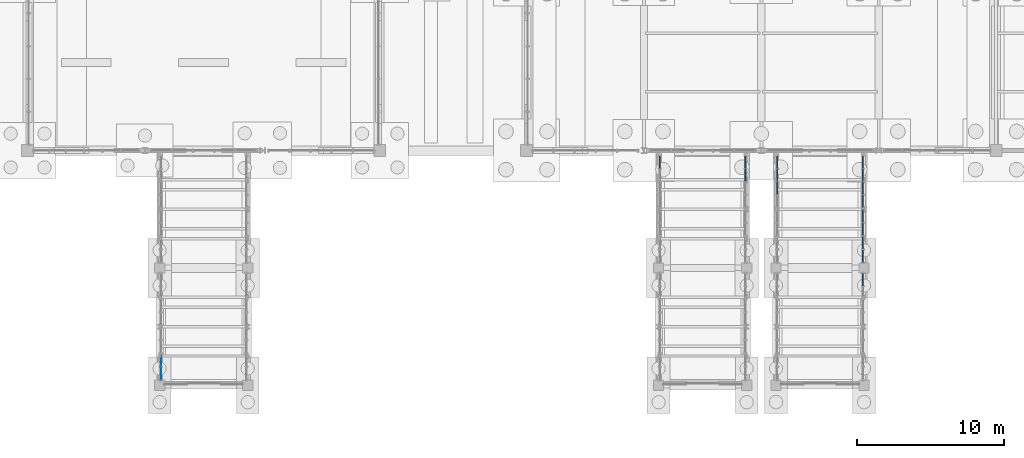
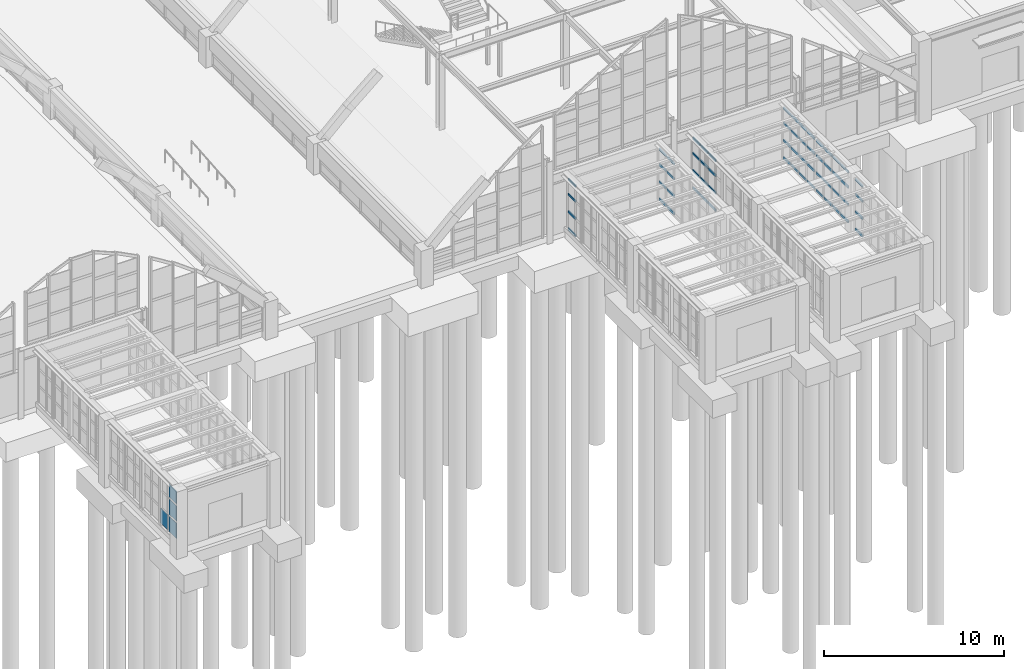
# One storey, part 76 of 129: 60 members, 4 plates, 7 elements without a shape of their own.
"""IFC4 building model written with IfcOpenShell, lengths in metres."""

from ifc_helpers import new_model, si_unit, direction, frame, origin, origin_2d, place, context, subcontext, project, spatial, rectangle, extrude, material, layer, layer_set, material_profile, profile_set, type_object, element, aggregate, save


model = new_model("IFC4")

# Units and contexts
model_context = context("Model", 3, precision=1e-05, world=origin(), true_north=direction((0.0, 1.0)))
body_context = subcontext(model_context, "Body", "Model", "MODEL_VIEW")
ifc_project = project(units=[si_unit("LENGTHUNIT", "METRE"), si_unit("AREAUNIT", "SQUARE_METRE"), si_unit("VOLUMEUNIT", "CUBIC_METRE"), si_unit("PLANEANGLEUNIT", "RADIAN"), si_unit("MASSUNIT", "GRAM", prefix="KILO")], contexts=[model_context])

# Site, building, storey
site_placement = place(None, origin())
site = spatial("IfcSite", under=ifc_project, at=site_placement, CompositionType="ELEMENT")
building_placement = place(site_placement, origin())
building = spatial("IfcBuilding", under=site, at=building_placement, Name="Sitalva Quay Ferry Terminal", CompositionType="ELEMENT")
storey_placement = place(building_placement, origin())
storey = spatial("IfcBuildingStorey", under=building, at=storey_placement, Name="L01", CompositionType="ELEMENT", Elevation=0.0)

# Curtain wall, members
ifc_material_1 = material(Name="Anodised Aluminium & Low-E Glazing", Category="aluminium")
ifc_layer_1 = layer(ifc_material_1, 0.159912109375)
ifc_layer_set_1 = layer_set([ifc_layer_1], Name="Anodised Aluminium & Low-E Glazing")
curtain_wall_type = type_object("IfcCurtainWallType", Name="CW_Bridge_Glazed", PredefinedType="USERDEFINED", material=ifc_layer_set_1)
curtain_wall_1_placement = place(storey_placement, origin())
curtain_wall_1 = element("IfcCurtainWall", 1, at=curtain_wall_1_placement, inside=storey, type_object=curtain_wall_type, Name="Boarding bridge BB2 W4 side glazing (CW-L01-044)", ObjectType="CURTAIN_WALL", PredefinedType="USERDEFINED")
ifc_material_2 = material(Name="Anodised Aluminium 6063-T6", Category="aluminium")
ifc_material_profile = material_profile(ifc_material_2, rectangle(XDim=0.074951171875, YDim=0.14990234375, at=origin_2d()), Name="ALU75x150")
ifc_profile_set = profile_set([ifc_material_profile], Name="Anodised Aluminium 6063-T6")
member_type = type_object("IfcMemberType", Name="Transom_Alu_75x140", PredefinedType="MULLION", material=ifc_profile_set)
member_1_placement = place(storey_placement, frame((51.080078125, 4.802490234375, 0.324951171875), z_axis=(0.0, 1.0, 0.0), x_axis=(-1.0, 0.0, 0.0)))
member_1 = element("IfcMember", 2, at=member_1_placement, type_object=member_type, Name="CW-L01-044-T3-0", ObjectType="TRANSOM", PredefinedType="USERDEFINED", context=body_context, shape_type="SweptSolid", body=[
    extrude(rectangle(XDim=0.074951171875, YDim=0.14990234375, at=origin_2d()), origin(), (0.0, 0.0, 1.0), 0.8076171875),
])
member_2_placement = place(storey_placement, frame((51.080078125, 4.802490234375, 1.501708984375), z_axis=(0.0, 1.0, 0.0), x_axis=(-1.0, 0.0, 0.0)))
member_2 = element("IfcMember", 3, at=member_2_placement, type_object=member_type, Name="CW-L01-044-T3-1", ObjectType="TRANSOM", PredefinedType="USERDEFINED", context=body_context, shape_type="SweptSolid", body=[
    extrude(rectangle(XDim=0.074951171875, YDim=0.14990234375, at=origin_2d()), origin(), (0.0, 0.0, 1.0), 0.8076171875),
])
member_3_placement = place(storey_placement, frame((51.080078125, 4.802490234375, 2.67822265625), z_axis=(0.0, 1.0, 0.0), x_axis=(-1.0, 0.0, 0.0)))
member_3 = element("IfcMember", 4, at=member_3_placement, type_object=member_type, Name="CW-L01-044-T3-2", ObjectType="TRANSOM", PredefinedType="USERDEFINED", context=body_context, shape_type="SweptSolid", body=[
    extrude(rectangle(XDim=0.074951171875, YDim=0.14990234375, at=origin_2d()), origin(), (0.0, 0.0, 1.0), 0.8076171875),
])
member_4_placement = place(storey_placement, frame((51.080078125, 4.802490234375, 3.705078125), z_axis=(0.0, 1.0, 0.0), x_axis=(-1.0, 0.0, 0.0)))
member_4 = element("IfcMember", 5, at=member_4_placement, type_object=member_type, Name="CW-L01-044-T3-3", ObjectType="TRANSOM", PredefinedType="USERDEFINED", context=body_context, shape_type="SweptSolid", body=[
    extrude(rectangle(XDim=0.074951171875, YDim=0.14990234375, at=origin_2d()), origin(), (0.0, 0.0, 1.0), 0.8076171875),
])
aggregate(curtain_wall_1, [member_1, member_2, member_3, member_4])

curtain_wall_2_placement = place(storey_placement, origin())
curtain_wall_2 = element("IfcCurtainWall", 6, at=curtain_wall_2_placement, inside=storey, type_object=curtain_wall_type, Name="Boarding bridge BB2 E4 side glazing (CW-L01-048)", ObjectType="CURTAIN_WALL", PredefinedType="USERDEFINED")
member_5_placement = place(storey_placement, frame((56.919921875, 3.9150390625, 0.324951171875), z_axis=(0.0, 1.0, 0.0), x_axis=(-1.0, 0.0, 0.0)))
member_5 = element("IfcMember", 7, at=member_5_placement, type_object=member_type, Name="CW-L01-048-T2-0", ObjectType="TRANSOM", PredefinedType="USERDEFINED", context=body_context, shape_type="SweptSolid", body=[
    extrude(rectangle(XDim=0.074951171875, YDim=0.14990234375, at=origin_2d()), origin(), (0.0, 0.0, 1.0), 0.807373046875),
])
member_6_placement = place(storey_placement, frame((56.919921875, 3.9150390625, 1.501708984375), z_axis=(0.0, 1.0, 0.0), x_axis=(-1.0, 0.0, 0.0)))
member_6 = element("IfcMember", 8, at=member_6_placement, type_object=member_type, Name="CW-L01-048-T2-1", ObjectType="TRANSOM", PredefinedType="USERDEFINED", context=body_context, shape_type="SweptSolid", body=[
    extrude(rectangle(XDim=0.074951171875, YDim=0.14990234375, at=origin_2d()), origin(), (0.0, 0.0, 1.0), 0.807373046875),
])
member_7_placement = place(storey_placement, frame((56.919921875, 3.9150390625, 2.67822265625), z_axis=(0.0, 1.0, 0.0), x_axis=(-1.0, 0.0, 0.0)))
member_7 = element("IfcMember", 9, at=member_7_placement, type_object=member_type, Name="CW-L01-048-T2-2", ObjectType="TRANSOM", PredefinedType="USERDEFINED", context=body_context, shape_type="SweptSolid", body=[
    extrude(rectangle(XDim=0.074951171875, YDim=0.14990234375, at=origin_2d()), origin(), (0.0, 0.0, 1.0), 0.807373046875),
])
member_8_placement = place(storey_placement, frame((56.919921875, 3.9150390625, 3.705078125), z_axis=(0.0, 1.0, 0.0), x_axis=(-1.0, 0.0, 0.0)))
member_8 = element("IfcMember", 10, at=member_8_placement, type_object=member_type, Name="CW-L01-048-T2-3", ObjectType="TRANSOM", PredefinedType="USERDEFINED", context=body_context, shape_type="SweptSolid", body=[
    extrude(rectangle(XDim=0.074951171875, YDim=0.14990234375, at=origin_2d()), origin(), (0.0, 0.0, 1.0), 0.807373046875),
])
member_9_placement = place(storey_placement, frame((56.919921875, 4.802490234375, 0.324951171875), z_axis=(0.0, 1.0, 0.0), x_axis=(-1.0, 0.0, 0.0)))
member_9 = element("IfcMember", 11, at=member_9_placement, type_object=member_type, Name="CW-L01-048-T3-0", ObjectType="TRANSOM", PredefinedType="USERDEFINED", context=body_context, shape_type="SweptSolid", body=[
    extrude(rectangle(XDim=0.074951171875, YDim=0.14990234375, at=origin_2d()), origin(), (0.0, 0.0, 1.0), 0.8076171875),
])
member_10_placement = place(storey_placement, frame((56.919921875, 4.802490234375, 1.501708984375), z_axis=(0.0, 1.0, 0.0), x_axis=(-1.0, 0.0, 0.0)))
member_10 = element("IfcMember", 12, at=member_10_placement, type_object=member_type, Name="CW-L01-048-T3-1", ObjectType="TRANSOM", PredefinedType="USERDEFINED", context=body_context, shape_type="SweptSolid", body=[
    extrude(rectangle(XDim=0.074951171875, YDim=0.14990234375, at=origin_2d()), origin(), (0.0, 0.0, 1.0), 0.8076171875),
])
member_11_placement = place(storey_placement, frame((56.919921875, 4.802490234375, 2.67822265625), z_axis=(0.0, 1.0, 0.0), x_axis=(-1.0, 0.0, 0.0)))
member_11 = element("IfcMember", 13, at=member_11_placement, type_object=member_type, Name="CW-L01-048-T3-2", ObjectType="TRANSOM", PredefinedType="USERDEFINED", context=body_context, shape_type="SweptSolid", body=[
    extrude(rectangle(XDim=0.074951171875, YDim=0.14990234375, at=origin_2d()), origin(), (0.0, 0.0, 1.0), 0.8076171875),
])
member_12_placement = place(storey_placement, frame((56.919921875, 4.802490234375, 3.705078125), z_axis=(0.0, 1.0, 0.0), x_axis=(-1.0, 0.0, 0.0)))
member_12 = element("IfcMember", 14, at=member_12_placement, type_object=member_type, Name="CW-L01-048-T3-3", ObjectType="TRANSOM", PredefinedType="USERDEFINED", context=body_context, shape_type="SweptSolid", body=[
    extrude(rectangle(XDim=0.074951171875, YDim=0.14990234375, at=origin_2d()), origin(), (0.0, 0.0, 1.0), 0.8076171875),
])
aggregate(curtain_wall_2, [member_5, member_6, member_7, member_8, member_9, member_10, member_11, member_12])

curtain_wall_3_placement = place(storey_placement, origin())
curtain_wall_3 = element("IfcCurtainWall", 15, at=curtain_wall_3_placement, inside=storey, type_object=curtain_wall_type, Name="Boarding bridge BB3 W4 side glazing (CW-L01-052)", ObjectType="CURTAIN_WALL", PredefinedType="USERDEFINED")
member_13_placement = place(storey_placement, frame((59.080078125, 3.027587890625, 0.324951171875), z_axis=(0.0, 1.0, 0.0), x_axis=(-1.0, 0.0, 0.0)))
member_13 = element("IfcMember", 16, at=member_13_placement, type_object=member_type, Name="CW-L01-052-T1-0", ObjectType="TRANSOM", PredefinedType="USERDEFINED", context=body_context, shape_type="SweptSolid", body=[
    extrude(rectangle(XDim=0.074951171875, YDim=0.14990234375, at=origin_2d()), origin(), (0.0, 0.0, 1.0), 0.807373046875),
])
member_14_placement = place(storey_placement, frame((59.080078125, 3.027587890625, 1.501708984375), z_axis=(0.0, 1.0, 0.0), x_axis=(-1.0, 0.0, 0.0)))
member_14 = element("IfcMember", 17, at=member_14_placement, type_object=member_type, Name="CW-L01-052-T1-1", ObjectType="TRANSOM", PredefinedType="USERDEFINED", context=body_context, shape_type="SweptSolid", body=[
    extrude(rectangle(XDim=0.074951171875, YDim=0.14990234375, at=origin_2d()), origin(), (0.0, 0.0, 1.0), 0.807373046875),
])
member_15_placement = place(storey_placement, frame((59.080078125, 3.027587890625, 2.67822265625), z_axis=(0.0, 1.0, 0.0), x_axis=(-1.0, 0.0, 0.0)))
member_15 = element("IfcMember", 18, at=member_15_placement, type_object=member_type, Name="CW-L01-052-T1-2", ObjectType="TRANSOM", PredefinedType="USERDEFINED", context=body_context, shape_type="SweptSolid", body=[
    extrude(rectangle(XDim=0.074951171875, YDim=0.14990234375, at=origin_2d()), origin(), (0.0, 0.0, 1.0), 0.807373046875),
])
member_16_placement = place(storey_placement, frame((59.080078125, 3.027587890625, 3.705078125), z_axis=(0.0, 1.0, 0.0), x_axis=(-1.0, 0.0, 0.0)))
member_16 = element("IfcMember", 19, at=member_16_placement, type_object=member_type, Name="CW-L01-052-T1-3", ObjectType="TRANSOM", PredefinedType="USERDEFINED", context=body_context, shape_type="SweptSolid", body=[
    extrude(rectangle(XDim=0.074951171875, YDim=0.14990234375, at=origin_2d()), origin(), (0.0, 0.0, 1.0), 0.807373046875),
])
member_17_placement = place(storey_placement, frame((59.080078125, 3.9150390625, 0.324951171875), z_axis=(0.0, 1.0, 0.0), x_axis=(-1.0, 0.0, 0.0)))
member_17 = element("IfcMember", 20, at=member_17_placement, type_object=member_type, Name="CW-L01-052-T2-0", ObjectType="TRANSOM", PredefinedType="USERDEFINED", context=body_context, shape_type="SweptSolid", body=[
    extrude(rectangle(XDim=0.074951171875, YDim=0.14990234375, at=origin_2d()), origin(), (0.0, 0.0, 1.0), 0.807373046875),
])
member_18_placement = place(storey_placement, frame((59.080078125, 3.9150390625, 1.501708984375), z_axis=(0.0, 1.0, 0.0), x_axis=(-1.0, 0.0, 0.0)))
member_18 = element("IfcMember", 21, at=member_18_placement, type_object=member_type, Name="CW-L01-052-T2-1", ObjectType="TRANSOM", PredefinedType="USERDEFINED", context=body_context, shape_type="SweptSolid", body=[
    extrude(rectangle(XDim=0.074951171875, YDim=0.14990234375, at=origin_2d()), origin(), (0.0, 0.0, 1.0), 0.807373046875),
])
member_19_placement = place(storey_placement, frame((59.080078125, 3.9150390625, 2.67822265625), z_axis=(0.0, 1.0, 0.0), x_axis=(-1.0, 0.0, 0.0)))
member_19 = element("IfcMember", 22, at=member_19_placement, type_object=member_type, Name="CW-L01-052-T2-2", ObjectType="TRANSOM", PredefinedType="USERDEFINED", context=body_context, shape_type="SweptSolid", body=[
    extrude(rectangle(XDim=0.074951171875, YDim=0.14990234375, at=origin_2d()), origin(), (0.0, 0.0, 1.0), 0.807373046875),
])
member_20_placement = place(storey_placement, frame((59.080078125, 3.9150390625, 3.705078125), z_axis=(0.0, 1.0, 0.0), x_axis=(-1.0, 0.0, 0.0)))
member_20 = element("IfcMember", 23, at=member_20_placement, type_object=member_type, Name="CW-L01-052-T2-3", ObjectType="TRANSOM", PredefinedType="USERDEFINED", context=body_context, shape_type="SweptSolid", body=[
    extrude(rectangle(XDim=0.074951171875, YDim=0.14990234375, at=origin_2d()), origin(), (0.0, 0.0, 1.0), 0.807373046875),
])
member_21_placement = place(storey_placement, frame((59.080078125, 4.802490234375, 0.324951171875), z_axis=(0.0, 1.0, 0.0), x_axis=(-1.0, 0.0, 0.0)))
member_21 = element("IfcMember", 24, at=member_21_placement, type_object=member_type, Name="CW-L01-052-T3-0", ObjectType="TRANSOM", PredefinedType="USERDEFINED", context=body_context, shape_type="SweptSolid", body=[
    extrude(rectangle(XDim=0.074951171875, YDim=0.14990234375, at=origin_2d()), origin(), (0.0, 0.0, 1.0), 0.8076171875),
])
member_22_placement = place(storey_placement, frame((59.080078125, 4.802490234375, 1.501708984375), z_axis=(0.0, 1.0, 0.0), x_axis=(-1.0, 0.0, 0.0)))
member_22 = element("IfcMember", 25, at=member_22_placement, type_object=member_type, Name="CW-L01-052-T3-1", ObjectType="TRANSOM", PredefinedType="USERDEFINED", context=body_context, shape_type="SweptSolid", body=[
    extrude(rectangle(XDim=0.074951171875, YDim=0.14990234375, at=origin_2d()), origin(), (0.0, 0.0, 1.0), 0.8076171875),
])
member_23_placement = place(storey_placement, frame((59.080078125, 4.802490234375, 2.67822265625), z_axis=(0.0, 1.0, 0.0), x_axis=(-1.0, 0.0, 0.0)))
member_23 = element("IfcMember", 26, at=member_23_placement, type_object=member_type, Name="CW-L01-052-T3-2", ObjectType="TRANSOM", PredefinedType="USERDEFINED", context=body_context, shape_type="SweptSolid", body=[
    extrude(rectangle(XDim=0.074951171875, YDim=0.14990234375, at=origin_2d()), origin(), (0.0, 0.0, 1.0), 0.8076171875),
])
member_24_placement = place(storey_placement, frame((59.080078125, 4.802490234375, 3.705078125), z_axis=(0.0, 1.0, 0.0), x_axis=(-1.0, 0.0, 0.0)))
member_24 = element("IfcMember", 27, at=member_24_placement, type_object=member_type, Name="CW-L01-052-T3-3", ObjectType="TRANSOM", PredefinedType="USERDEFINED", context=body_context, shape_type="SweptSolid", body=[
    extrude(rectangle(XDim=0.074951171875, YDim=0.14990234375, at=origin_2d()), origin(), (0.0, 0.0, 1.0), 0.8076171875),
])
aggregate(curtain_wall_3, [member_13, member_14, member_15, member_16, member_17, member_18, member_19, member_20, member_21, member_22, member_23, member_24])

curtain_wall_4_placement = place(storey_placement, origin())
curtain_wall_4 = element("IfcCurtainWall", 28, at=curtain_wall_4_placement, inside=storey, type_object=curtain_wall_type, Name="Boarding bridge BB3 E2 side glazing (CW-L01-054)", ObjectType="CURTAIN_WALL", PredefinedType="USERDEFINED")
member_25_placement = place(storey_placement, frame((64.919921875, -3.197509765625, 0.324951171875), z_axis=(0.0, 1.0, 0.0), x_axis=(-1.0, 0.0, 0.0)))
member_25 = element("IfcMember", 29, at=member_25_placement, type_object=member_type, Name="CW-L01-054-T3-0", ObjectType="TRANSOM", PredefinedType="USERDEFINED", context=body_context, shape_type="SweptSolid", body=[
    extrude(rectangle(XDim=0.074951171875, YDim=0.14990234375, at=origin_2d()), origin(), (0.0, 0.0, 1.0), 0.8076171875),
])
member_26_placement = place(storey_placement, frame((64.919921875, -3.197509765625, 1.501708984375), z_axis=(0.0, 1.0, 0.0), x_axis=(-1.0, 0.0, 0.0)))
member_26 = element("IfcMember", 30, at=member_26_placement, type_object=member_type, Name="CW-L01-054-T3-1", ObjectType="TRANSOM", PredefinedType="USERDEFINED", context=body_context, shape_type="SweptSolid", body=[
    extrude(rectangle(XDim=0.074951171875, YDim=0.14990234375, at=origin_2d()), origin(), (0.0, 0.0, 1.0), 0.8076171875),
])
member_27_placement = place(storey_placement, frame((64.919921875, -3.197509765625, 2.67822265625), z_axis=(0.0, 1.0, 0.0), x_axis=(-1.0, 0.0, 0.0)))
member_27 = element("IfcMember", 31, at=member_27_placement, type_object=member_type, Name="CW-L01-054-T3-2", ObjectType="TRANSOM", PredefinedType="USERDEFINED", context=body_context, shape_type="SweptSolid", body=[
    extrude(rectangle(XDim=0.074951171875, YDim=0.14990234375, at=origin_2d()), origin(), (0.0, 0.0, 1.0), 0.8076171875),
])
member_28_placement = place(storey_placement, frame((64.919921875, -3.197509765625, 3.705078125), z_axis=(0.0, 1.0, 0.0), x_axis=(-1.0, 0.0, 0.0)))
member_28 = element("IfcMember", 32, at=member_28_placement, type_object=member_type, Name="CW-L01-054-T3-3", ObjectType="TRANSOM", PredefinedType="USERDEFINED", context=body_context, shape_type="SweptSolid", body=[
    extrude(rectangle(XDim=0.074951171875, YDim=0.14990234375, at=origin_2d()), origin(), (0.0, 0.0, 1.0), 0.8076171875),
])
aggregate(curtain_wall_4, [member_25, member_26, member_27, member_28])

curtain_wall_5_placement = place(storey_placement, origin())
curtain_wall_5 = element("IfcCurtainWall", 33, at=curtain_wall_5_placement, inside=storey, type_object=curtain_wall_type, Name="Boarding bridge BB3 E3 side glazing (CW-L01-055)", ObjectType="CURTAIN_WALL", PredefinedType="USERDEFINED")
member_29_placement = place(storey_placement, frame((64.919921875, -1.610107421875, 0.324951171875), z_axis=(0.0, 1.0, 0.0), x_axis=(-1.0, 0.0, 0.0)))
member_29 = element("IfcMember", 34, at=member_29_placement, type_object=member_type, Name="CW-L01-055-T0-0", ObjectType="TRANSOM", PredefinedType="USERDEFINED", context=body_context, shape_type="SweptSolid", body=[
    extrude(rectangle(XDim=0.074951171875, YDim=0.14990234375, at=origin_2d()), origin(), (0.0, 0.0, 1.0), 0.83251953125),
])
member_30_placement = place(storey_placement, frame((64.919921875, -1.610107421875, 1.501708984375), z_axis=(0.0, 1.0, 0.0), x_axis=(-1.0, 0.0, 0.0)))
member_30 = element("IfcMember", 35, at=member_30_placement, type_object=member_type, Name="CW-L01-055-T0-1", ObjectType="TRANSOM", PredefinedType="USERDEFINED", context=body_context, shape_type="SweptSolid", body=[
    extrude(rectangle(XDim=0.074951171875, YDim=0.14990234375, at=origin_2d()), origin(), (0.0, 0.0, 1.0), 0.83251953125),
])
member_31_placement = place(storey_placement, frame((64.919921875, -1.610107421875, 2.67822265625), z_axis=(0.0, 1.0, 0.0), x_axis=(-1.0, 0.0, 0.0)))
member_31 = element("IfcMember", 36, at=member_31_placement, type_object=member_type, Name="CW-L01-055-T0-2", ObjectType="TRANSOM", PredefinedType="USERDEFINED", context=body_context, shape_type="SweptSolid", body=[
    extrude(rectangle(XDim=0.074951171875, YDim=0.14990234375, at=origin_2d()), origin(), (0.0, 0.0, 1.0), 0.83251953125),
])
member_32_placement = place(storey_placement, frame((64.919921875, -1.610107421875, 3.705078125), z_axis=(0.0, 1.0, 0.0), x_axis=(-1.0, 0.0, 0.0)))
member_32 = element("IfcMember", 37, at=member_32_placement, type_object=member_type, Name="CW-L01-055-T0-3", ObjectType="TRANSOM", PredefinedType="USERDEFINED", context=body_context, shape_type="SweptSolid", body=[
    extrude(rectangle(XDim=0.074951171875, YDim=0.14990234375, at=origin_2d()), origin(), (0.0, 0.0, 1.0), 0.83251953125),
])
member_33_placement = place(storey_placement, frame((64.919921875, -0.697509765625, 0.324951171875), z_axis=(0.0, 1.0, 0.0), x_axis=(-1.0, 0.0, 0.0)))
member_33 = element("IfcMember", 38, at=member_33_placement, type_object=member_type, Name="CW-L01-055-T1-0", ObjectType="TRANSOM", PredefinedType="USERDEFINED", context=body_context, shape_type="SweptSolid", body=[
    extrude(rectangle(XDim=0.074951171875, YDim=0.14990234375, at=origin_2d()), origin(), (0.0, 0.0, 1.0), 0.83251953125),
])
member_34_placement = place(storey_placement, frame((64.919921875, -0.697509765625, 1.501708984375), z_axis=(0.0, 1.0, 0.0), x_axis=(-1.0, 0.0, 0.0)))
member_34 = element("IfcMember", 39, at=member_34_placement, type_object=member_type, Name="CW-L01-055-T1-1", ObjectType="TRANSOM", PredefinedType="USERDEFINED", context=body_context, shape_type="SweptSolid", body=[
    extrude(rectangle(XDim=0.074951171875, YDim=0.14990234375, at=origin_2d()), origin(), (0.0, 0.0, 1.0), 0.83251953125),
])
member_35_placement = place(storey_placement, frame((64.919921875, -0.697509765625, 2.67822265625), z_axis=(0.0, 1.0, 0.0), x_axis=(-1.0, 0.0, 0.0)))
member_35 = element("IfcMember", 40, at=member_35_placement, type_object=member_type, Name="CW-L01-055-T1-2", ObjectType="TRANSOM", PredefinedType="USERDEFINED", context=body_context, shape_type="SweptSolid", body=[
    extrude(rectangle(XDim=0.074951171875, YDim=0.14990234375, at=origin_2d()), origin(), (0.0, 0.0, 1.0), 0.83251953125),
])
member_36_placement = place(storey_placement, frame((64.919921875, -0.697509765625, 3.705078125), z_axis=(0.0, 1.0, 0.0), x_axis=(-1.0, 0.0, 0.0)))
member_36 = element("IfcMember", 41, at=member_36_placement, type_object=member_type, Name="CW-L01-055-T1-3", ObjectType="TRANSOM", PredefinedType="USERDEFINED", context=body_context, shape_type="SweptSolid", body=[
    extrude(rectangle(XDim=0.074951171875, YDim=0.14990234375, at=origin_2d()), origin(), (0.0, 0.0, 1.0), 0.83251953125),
])
member_37_placement = place(storey_placement, frame((64.919921875, 0.215087890625, 0.324951171875), z_axis=(0.0, 1.0, 0.0), x_axis=(-1.0, 0.0, 0.0)))
member_37 = element("IfcMember", 42, at=member_37_placement, type_object=member_type, Name="CW-L01-055-T2-0", ObjectType="TRANSOM", PredefinedType="USERDEFINED", context=body_context, shape_type="SweptSolid", body=[
    extrude(rectangle(XDim=0.074951171875, YDim=0.14990234375, at=origin_2d()), origin(), (0.0, 0.0, 1.0), 0.83251953125),
])
member_38_placement = place(storey_placement, frame((64.919921875, 0.215087890625, 1.501708984375), z_axis=(0.0, 1.0, 0.0), x_axis=(-1.0, 0.0, 0.0)))
member_38 = element("IfcMember", 43, at=member_38_placement, type_object=member_type, Name="CW-L01-055-T2-1", ObjectType="TRANSOM", PredefinedType="USERDEFINED", context=body_context, shape_type="SweptSolid", body=[
    extrude(rectangle(XDim=0.074951171875, YDim=0.14990234375, at=origin_2d()), origin(), (0.0, 0.0, 1.0), 0.83251953125),
])
member_39_placement = place(storey_placement, frame((64.919921875, 0.215087890625, 2.67822265625), z_axis=(0.0, 1.0, 0.0), x_axis=(-1.0, 0.0, 0.0)))
member_39 = element("IfcMember", 44, at=member_39_placement, type_object=member_type, Name="CW-L01-055-T2-2", ObjectType="TRANSOM", PredefinedType="USERDEFINED", context=body_context, shape_type="SweptSolid", body=[
    extrude(rectangle(XDim=0.074951171875, YDim=0.14990234375, at=origin_2d()), origin(), (0.0, 0.0, 1.0), 0.83251953125),
])
member_40_placement = place(storey_placement, frame((64.919921875, 0.215087890625, 3.705078125), z_axis=(0.0, 1.0, 0.0), x_axis=(-1.0, 0.0, 0.0)))
member_40 = element("IfcMember", 45, at=member_40_placement, type_object=member_type, Name="CW-L01-055-T2-3", ObjectType="TRANSOM", PredefinedType="USERDEFINED", context=body_context, shape_type="SweptSolid", body=[
    extrude(rectangle(XDim=0.074951171875, YDim=0.14990234375, at=origin_2d()), origin(), (0.0, 0.0, 1.0), 0.83251953125),
])
member_41_placement = place(storey_placement, frame((64.919921875, 1.12744140625, 0.324951171875), z_axis=(0.0, 1.0, 0.0), x_axis=(-1.0, 0.0, 0.0)))
member_41 = element("IfcMember", 46, at=member_41_placement, type_object=member_type, Name="CW-L01-055-T3-0", ObjectType="TRANSOM", PredefinedType="USERDEFINED", context=body_context, shape_type="SweptSolid", body=[
    extrude(rectangle(XDim=0.074951171875, YDim=0.14990234375, at=origin_2d()), origin(), (0.0, 0.0, 1.0), 0.83251953125),
])
member_42_placement = place(storey_placement, frame((64.919921875, 1.12744140625, 1.501708984375), z_axis=(0.0, 1.0, 0.0), x_axis=(-1.0, 0.0, 0.0)))
member_42 = element("IfcMember", 47, at=member_42_placement, type_object=member_type, Name="CW-L01-055-T3-1", ObjectType="TRANSOM", PredefinedType="USERDEFINED", context=body_context, shape_type="SweptSolid", body=[
    extrude(rectangle(XDim=0.074951171875, YDim=0.14990234375, at=origin_2d()), origin(), (0.0, 0.0, 1.0), 0.83251953125),
])
member_43_placement = place(storey_placement, frame((64.919921875, 1.12744140625, 2.67822265625), z_axis=(0.0, 1.0, 0.0), x_axis=(-1.0, 0.0, 0.0)))
member_43 = element("IfcMember", 48, at=member_43_placement, type_object=member_type, Name="CW-L01-055-T3-2", ObjectType="TRANSOM", PredefinedType="USERDEFINED", context=body_context, shape_type="SweptSolid", body=[
    extrude(rectangle(XDim=0.074951171875, YDim=0.14990234375, at=origin_2d()), origin(), (0.0, 0.0, 1.0), 0.83251953125),
])
member_44_placement = place(storey_placement, frame((64.919921875, 1.12744140625, 3.705078125), z_axis=(0.0, 1.0, 0.0), x_axis=(-1.0, 0.0, 0.0)))
member_44 = element("IfcMember", 49, at=member_44_placement, type_object=member_type, Name="CW-L01-055-T3-3", ObjectType="TRANSOM", PredefinedType="USERDEFINED", context=body_context, shape_type="SweptSolid", body=[
    extrude(rectangle(XDim=0.074951171875, YDim=0.14990234375, at=origin_2d()), origin(), (0.0, 0.0, 1.0), 0.83251953125),
])
aggregate(curtain_wall_5, [member_29, member_30, member_31, member_32, member_33, member_34, member_35, member_36, member_37, member_38, member_39, member_40, member_41, member_42, member_43, member_44])

curtain_wall_6_placement = place(storey_placement, origin())
curtain_wall_6 = element("IfcCurtainWall", 50, at=curtain_wall_6_placement, inside=storey, type_object=curtain_wall_type, Name="Boarding bridge BB3 E4 side glazing (CW-L01-056)", ObjectType="CURTAIN_WALL", PredefinedType="USERDEFINED")
member_45_placement = place(storey_placement, frame((64.919921875, 2.139892578125, 0.324951171875), z_axis=(0.0, 1.0, 0.0), x_axis=(-1.0, 0.0, 0.0)))
member_45 = element("IfcMember", 51, at=member_45_placement, type_object=member_type, Name="CW-L01-056-T0-0", ObjectType="TRANSOM", PredefinedType="USERDEFINED", context=body_context, shape_type="SweptSolid", body=[
    extrude(rectangle(XDim=0.074951171875, YDim=0.14990234375, at=origin_2d()), origin(), (0.0, 0.0, 1.0), 0.8076171875),
])
member_46_placement = place(storey_placement, frame((64.919921875, 2.139892578125, 1.501708984375), z_axis=(0.0, 1.0, 0.0), x_axis=(-1.0, 0.0, 0.0)))
member_46 = element("IfcMember", 52, at=member_46_placement, type_object=member_type, Name="CW-L01-056-T0-1", ObjectType="TRANSOM", PredefinedType="USERDEFINED", context=body_context, shape_type="SweptSolid", body=[
    extrude(rectangle(XDim=0.074951171875, YDim=0.14990234375, at=origin_2d()), origin(), (0.0, 0.0, 1.0), 0.8076171875),
])
member_47_placement = place(storey_placement, frame((64.919921875, 2.139892578125, 2.67822265625), z_axis=(0.0, 1.0, 0.0), x_axis=(-1.0, 0.0, 0.0)))
member_47 = element("IfcMember", 53, at=member_47_placement, type_object=member_type, Name="CW-L01-056-T0-2", ObjectType="TRANSOM", PredefinedType="USERDEFINED", context=body_context, shape_type="SweptSolid", body=[
    extrude(rectangle(XDim=0.074951171875, YDim=0.14990234375, at=origin_2d()), origin(), (0.0, 0.0, 1.0), 0.8076171875),
])
member_48_placement = place(storey_placement, frame((64.919921875, 2.139892578125, 3.705078125), z_axis=(0.0, 1.0, 0.0), x_axis=(-1.0, 0.0, 0.0)))
member_48 = element("IfcMember", 54, at=member_48_placement, type_object=member_type, Name="CW-L01-056-T0-3", ObjectType="TRANSOM", PredefinedType="USERDEFINED", context=body_context, shape_type="SweptSolid", body=[
    extrude(rectangle(XDim=0.074951171875, YDim=0.14990234375, at=origin_2d()), origin(), (0.0, 0.0, 1.0), 0.8076171875),
])
member_49_placement = place(storey_placement, frame((64.919921875, 3.027587890625, 0.324951171875), z_axis=(0.0, 1.0, 0.0), x_axis=(-1.0, 0.0, 0.0)))
member_49 = element("IfcMember", 55, at=member_49_placement, type_object=member_type, Name="CW-L01-056-T1-0", ObjectType="TRANSOM", PredefinedType="USERDEFINED", context=body_context, shape_type="SweptSolid", body=[
    extrude(rectangle(XDim=0.074951171875, YDim=0.14990234375, at=origin_2d()), origin(), (0.0, 0.0, 1.0), 0.807373046875),
])
member_50_placement = place(storey_placement, frame((64.919921875, 3.027587890625, 1.501708984375), z_axis=(0.0, 1.0, 0.0), x_axis=(-1.0, 0.0, 0.0)))
member_50 = element("IfcMember", 56, at=member_50_placement, type_object=member_type, Name="CW-L01-056-T1-1", ObjectType="TRANSOM", PredefinedType="USERDEFINED", context=body_context, shape_type="SweptSolid", body=[
    extrude(rectangle(XDim=0.074951171875, YDim=0.14990234375, at=origin_2d()), origin(), (0.0, 0.0, 1.0), 0.807373046875),
])
member_51_placement = place(storey_placement, frame((64.919921875, 3.027587890625, 2.67822265625), z_axis=(0.0, 1.0, 0.0), x_axis=(-1.0, 0.0, 0.0)))
member_51 = element("IfcMember", 57, at=member_51_placement, type_object=member_type, Name="CW-L01-056-T1-2", ObjectType="TRANSOM", PredefinedType="USERDEFINED", context=body_context, shape_type="SweptSolid", body=[
    extrude(rectangle(XDim=0.074951171875, YDim=0.14990234375, at=origin_2d()), origin(), (0.0, 0.0, 1.0), 0.807373046875),
])
member_52_placement = place(storey_placement, frame((64.919921875, 3.027587890625, 3.705078125), z_axis=(0.0, 1.0, 0.0), x_axis=(-1.0, 0.0, 0.0)))
member_52 = element("IfcMember", 58, at=member_52_placement, type_object=member_type, Name="CW-L01-056-T1-3", ObjectType="TRANSOM", PredefinedType="USERDEFINED", context=body_context, shape_type="SweptSolid", body=[
    extrude(rectangle(XDim=0.074951171875, YDim=0.14990234375, at=origin_2d()), origin(), (0.0, 0.0, 1.0), 0.807373046875),
])
member_53_placement = place(storey_placement, frame((64.919921875, 3.9150390625, 0.324951171875), z_axis=(0.0, 1.0, 0.0), x_axis=(-1.0, 0.0, 0.0)))
member_53 = element("IfcMember", 59, at=member_53_placement, type_object=member_type, Name="CW-L01-056-T2-0", ObjectType="TRANSOM", PredefinedType="USERDEFINED", context=body_context, shape_type="SweptSolid", body=[
    extrude(rectangle(XDim=0.074951171875, YDim=0.14990234375, at=origin_2d()), origin(), (0.0, 0.0, 1.0), 0.807373046875),
])
member_54_placement = place(storey_placement, frame((64.919921875, 3.9150390625, 1.501708984375), z_axis=(0.0, 1.0, 0.0), x_axis=(-1.0, 0.0, 0.0)))
member_54 = element("IfcMember", 60, at=member_54_placement, type_object=member_type, Name="CW-L01-056-T2-1", ObjectType="TRANSOM", PredefinedType="USERDEFINED", context=body_context, shape_type="SweptSolid", body=[
    extrude(rectangle(XDim=0.074951171875, YDim=0.14990234375, at=origin_2d()), origin(), (0.0, 0.0, 1.0), 0.807373046875),
])
member_55_placement = place(storey_placement, frame((64.919921875, 3.9150390625, 2.67822265625), z_axis=(0.0, 1.0, 0.0), x_axis=(-1.0, 0.0, 0.0)))
member_55 = element("IfcMember", 61, at=member_55_placement, type_object=member_type, Name="CW-L01-056-T2-2", ObjectType="TRANSOM", PredefinedType="USERDEFINED", context=body_context, shape_type="SweptSolid", body=[
    extrude(rectangle(XDim=0.074951171875, YDim=0.14990234375, at=origin_2d()), origin(), (0.0, 0.0, 1.0), 0.807373046875),
])
member_56_placement = place(storey_placement, frame((64.919921875, 3.9150390625, 3.705078125), z_axis=(0.0, 1.0, 0.0), x_axis=(-1.0, 0.0, 0.0)))
member_56 = element("IfcMember", 62, at=member_56_placement, type_object=member_type, Name="CW-L01-056-T2-3", ObjectType="TRANSOM", PredefinedType="USERDEFINED", context=body_context, shape_type="SweptSolid", body=[
    extrude(rectangle(XDim=0.074951171875, YDim=0.14990234375, at=origin_2d()), origin(), (0.0, 0.0, 1.0), 0.807373046875),
])
member_57_placement = place(storey_placement, frame((64.919921875, 4.802490234375, 0.324951171875), z_axis=(0.0, 1.0, 0.0), x_axis=(-1.0, 0.0, 0.0)))
member_57 = element("IfcMember", 63, at=member_57_placement, type_object=member_type, Name="CW-L01-056-T3-0", ObjectType="TRANSOM", PredefinedType="USERDEFINED", context=body_context, shape_type="SweptSolid", body=[
    extrude(rectangle(XDim=0.074951171875, YDim=0.14990234375, at=origin_2d()), origin(), (0.0, 0.0, 1.0), 0.8076171875),
])
member_58_placement = place(storey_placement, frame((64.919921875, 4.802490234375, 1.501708984375), z_axis=(0.0, 1.0, 0.0), x_axis=(-1.0, 0.0, 0.0)))
member_58 = element("IfcMember", 64, at=member_58_placement, type_object=member_type, Name="CW-L01-056-T3-1", ObjectType="TRANSOM", PredefinedType="USERDEFINED", context=body_context, shape_type="SweptSolid", body=[
    extrude(rectangle(XDim=0.074951171875, YDim=0.14990234375, at=origin_2d()), origin(), (0.0, 0.0, 1.0), 0.8076171875),
])
member_59_placement = place(storey_placement, frame((64.919921875, 4.802490234375, 2.67822265625), z_axis=(0.0, 1.0, 0.0), x_axis=(-1.0, 0.0, 0.0)))
member_59 = element("IfcMember", 65, at=member_59_placement, type_object=member_type, Name="CW-L01-056-T3-2", ObjectType="TRANSOM", PredefinedType="USERDEFINED", context=body_context, shape_type="SweptSolid", body=[
    extrude(rectangle(XDim=0.074951171875, YDim=0.14990234375, at=origin_2d()), origin(), (0.0, 0.0, 1.0), 0.8076171875),
])
member_60_placement = place(storey_placement, frame((64.919921875, 4.802490234375, 3.705078125), z_axis=(0.0, 1.0, 0.0), x_axis=(-1.0, 0.0, 0.0)))
member_60 = element("IfcMember", 66, at=member_60_placement, type_object=member_type, Name="CW-L01-056-T3-3", ObjectType="TRANSOM", PredefinedType="USERDEFINED", context=body_context, shape_type="SweptSolid", body=[
    extrude(rectangle(XDim=0.074951171875, YDim=0.14990234375, at=origin_2d()), origin(), (0.0, 0.0, 1.0), 0.8076171875),
])
aggregate(curtain_wall_6, [member_45, member_46, member_47, member_48, member_49, member_50, member_51, member_52, member_53, member_54, member_55, member_56, member_57, member_58, member_59, member_60])

# Curtain wall, plates
curtain_wall_7_placement = place(storey_placement, origin())
curtain_wall_7 = element("IfcCurtainWall", 67, at=curtain_wall_7_placement, inside=storey, type_object=curtain_wall_type, Name="Boarding bridge BB1 W1 side glazing (CW-L01-033)", ObjectType="CURTAIN_WALL", PredefinedType="USERDEFINED")
ifc_material_3 = material(Name="Acoustic Laminated Marine Glazing", Category="glass")
ifc_layer_2 = layer(ifc_material_3, 0.033935546875)
ifc_layer_set_2 = layer_set([ifc_layer_2], Name="Acoustic Laminated Marine Glazing")
plate_type = type_object("IfcPlateType", Name="Panel_Marine_IGU_34", PredefinedType="CURTAIN_PANEL", material=ifc_layer_set_2)
plate_1_placement = place(storey_placement, frame((17.080078125, -9.19384765625, 0.39990234375), z_axis=(0.0, 0.0, 1.0), x_axis=(0.0, 1.0, 0.0)))
plate_1 = element("IfcPlate", 68, at=plate_1_placement, type_object=plate_type, Name="CW-L01-033-P0-0", PredefinedType="CURTAIN_PANEL", context=body_context, shape_type="SweptSolid", body=[
    extrude(rectangle(XDim=0.83251953125, YDim=0.033935546875, at=origin_2d()), origin(), (0.0, 0.0, 1.0), 1.026611328125),
])
plate_2_placement = place(storey_placement, frame((17.080078125, -9.19384765625, 1.57666015625), z_axis=(0.0, 0.0, 1.0), x_axis=(0.0, 1.0, 0.0)))
plate_2 = element("IfcPlate", 69, at=plate_2_placement, type_object=plate_type, Name="CW-L01-033-P0-1", PredefinedType="CURTAIN_PANEL", context=body_context, shape_type="SweptSolid", body=[
    extrude(rectangle(XDim=0.83251953125, YDim=0.033935546875, at=origin_2d()), origin(), (0.0, 0.0, 1.0), 1.026611328125),
])
plate_3_placement = place(storey_placement, frame((17.080078125, -9.19384765625, 2.75341796875), z_axis=(0.0, 0.0, 1.0), x_axis=(0.0, 1.0, 0.0)))
plate_3 = element("IfcPlate", 70, at=plate_3_placement, type_object=plate_type, Name="CW-L01-033-P0-2", PredefinedType="CURTAIN_PANEL", context=body_context, shape_type="SweptSolid", body=[
    extrude(rectangle(XDim=0.83251953125, YDim=0.033935546875, at=origin_2d()), origin(), (0.0, 0.0, 1.0), 0.876708984375),
])
plate_4_placement = place(storey_placement, frame((17.080078125, -8.28125, 0.39990234375), z_axis=(0.0, 0.0, 1.0), x_axis=(0.0, 1.0, 0.0)))
plate_4 = element("IfcPlate", 71, at=plate_4_placement, type_object=plate_type, Name="CW-L01-033-P1-0", PredefinedType="CURTAIN_PANEL", context=body_context, shape_type="SweptSolid", body=[
    extrude(rectangle(XDim=0.83251953125, YDim=0.033935546875, at=origin_2d()), origin(), (0.0, 0.0, 1.0), 1.026611328125),
])
aggregate(curtain_wall_7, [plate_1, plate_2, plate_3, plate_4])

save(model, "model.ifc")
